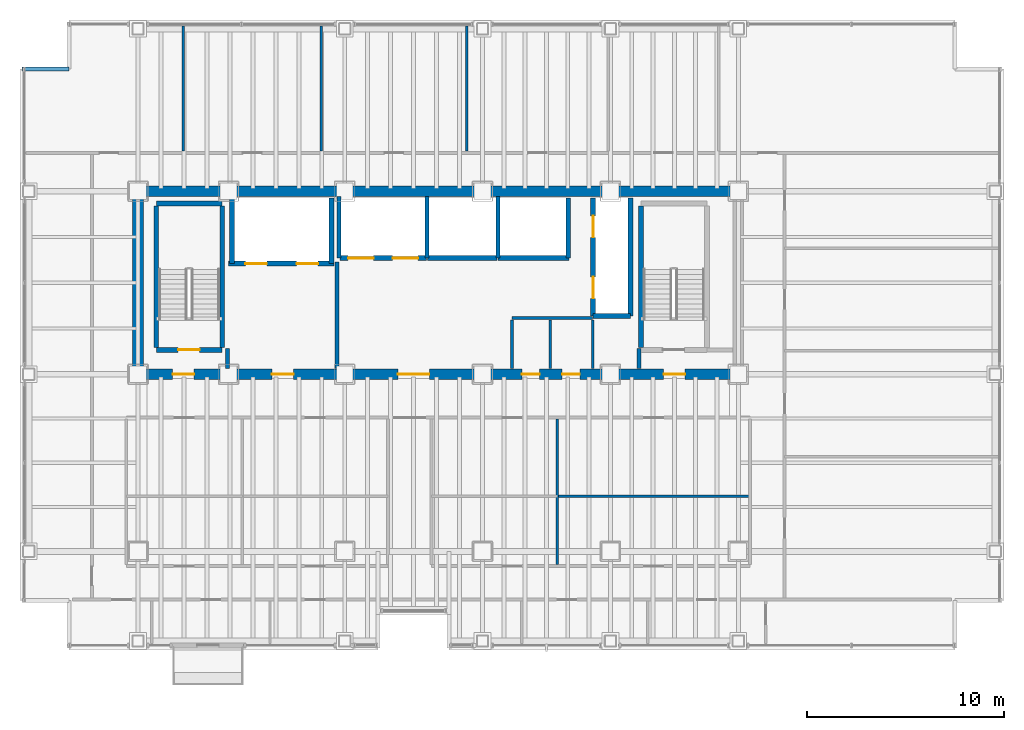
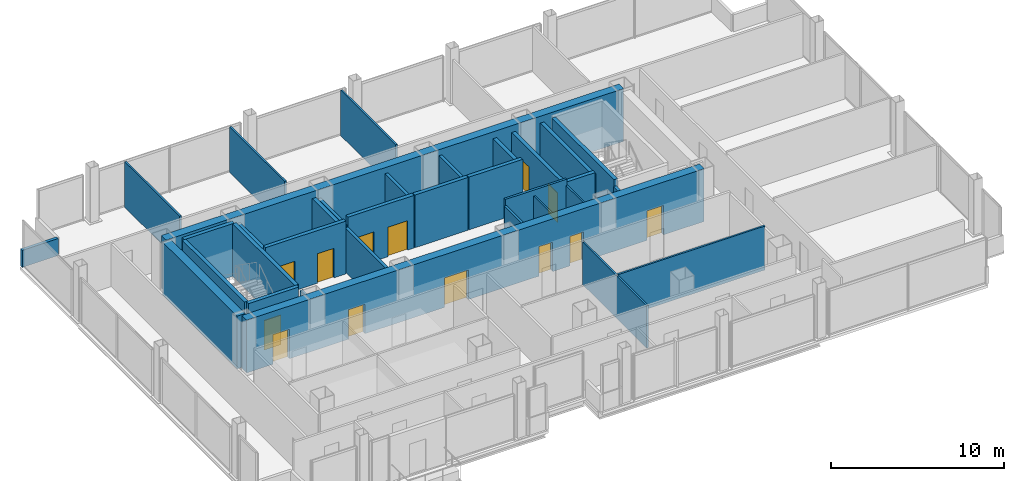
# One storey, part 18 of 20: 34 walls, 13 doors, 13 openings.
"""IFC4 building model written with IfcOpenShell, lengths in metres."""

from ifc_helpers import new_model, si_unit, direction, frame, frame_2d, origin, place, context, subcontext, project, spatial, rectangle, extrude, material, layer, layer_set, type_object, element, fill, save


model = new_model("IFC4")

# Units and contexts
model_context = context("Model", 3, precision=1e-05, world=origin(), true_north=direction((0.0, 1.0)))
body_context = subcontext(model_context, "Body", "Model", "MODEL_VIEW")
ifc_project = project(units=[si_unit("LENGTHUNIT", "METRE"), si_unit("AREAUNIT", "SQUARE_METRE"), si_unit("VOLUMEUNIT", "CUBIC_METRE"), si_unit("PLANEANGLEUNIT", "RADIAN"), si_unit("MASSUNIT", "GRAM", prefix="KILO")], contexts=[model_context])

# Site, building, storey
site_placement = place(None, origin())
site = spatial("IfcSite", under=ifc_project, at=site_placement, CompositionType="ELEMENT")
building_placement = place(site_placement, origin())
building = spatial("IfcBuilding", under=site, at=building_placement, Name="Noeulbin Bourse Tower", CompositionType="ELEMENT")
storey_placement = place(building_placement, frame((0.0, 0.0, 69.39990234375)))
storey = spatial("IfcBuildingStorey", under=building, at=storey_placement, Name="L17", CompositionType="ELEMENT", Elevation=69.39990234375)

# Wall, openings, doors
ifc_material_1 = material(Name="Concrete C60/75", Category="concrete")
ifc_layer_1 = layer(ifc_material_1, 0.550048828125)
ifc_layer_set_1 = layer_set([ifc_layer_1], Name="Concrete C60/75")
wall_type_1 = type_object("IfcWallType", Name="WAL-CORE-550", PredefinedType="SHEAR", material=ifc_layer_set_1)
wall_1_placement = place(storey_placement, frame((13.5, 29.0, 0.0), z_axis=(0.0, 0.0, 1.0), x_axis=(1.0, 0.0, 0.0)))
wall_1 = element("IfcWall", 1, at=wall_1_placement, inside=storey, type_object=wall_type_1, Name="Rear Core South Shear Wall L17", PredefinedType="SHEAR", context=body_context, shape_type="SweptSolid", body=[
    extrude(rectangle(XDim=30.5, YDim=0.550048828125, at=frame_2d((15.25, 0.0))), origin(), (0.0, 0.0, 1.0), 3.72021484375),
])
opening_1_placement = place(wall_1_placement, frame((1.75, 0.0, 0.0)))
opening_1 = element("IfcOpeningElement", 2, at=opening_1_placement, cuts=wall_1, Name="Opening FD-11", PredefinedType="OPENING", context=body_context, shape_type="SweptSolid", body=[
    extrude(rectangle(XDim=1.10009765625, YDim=2.080078125, at=frame_2d((0.550048828125, 1.0400390625))), frame((0.0, 0.284912109375, 0.0), z_axis=(0.0, -1.0, 0.0), x_axis=(1.0, 0.0, 0.0)), (0.0, 0.0, 1.0), 0.570068359375),
])
opening_2_placement = place(wall_1_placement, frame((26.699951171875, 0.0, 0.0)))
opening_2 = element("IfcOpeningElement", 3, at=opening_2_placement, cuts=wall_1, Name="Opening FD-11", PredefinedType="OPENING", context=body_context, shape_type="SweptSolid", body=[
    extrude(rectangle(XDim=1.10009765625, YDim=2.080078125, at=frame_2d((0.550048828125, 1.0400390625))), frame((0.0, 0.284912109375, 0.0), z_axis=(0.0, -1.0, 0.0), x_axis=(1.0, 0.0, 0.0)), (0.0, 0.0, 1.0), 0.570068359375),
])
opening_3_placement = place(wall_1_placement, frame((6.800048828125, 0.0, 0.0)))
opening_3 = element("IfcOpeningElement", 4, at=opening_3_placement, cuts=wall_1, Name="Opening FD-11", PredefinedType="OPENING", context=body_context, shape_type="SweptSolid", body=[
    extrude(rectangle(XDim=1.10009765625, YDim=2.080078125, at=frame_2d((0.550048828125, 1.0400390625))), frame((0.0, 0.284912109375, 0.0), z_axis=(0.0, -1.0, 0.0), x_axis=(1.0, 0.0, 0.0)), (0.0, 0.0, 1.0), 0.570068359375),
])
opening_4_placement = place(wall_1_placement, frame((13.199951171875, 0.0, 0.0)))
opening_4 = element("IfcOpeningElement", 5, at=opening_4_placement, cuts=wall_1, Name="Opening ID-16", PredefinedType="OPENING", context=body_context, shape_type="SweptSolid", body=[
    extrude(rectangle(XDim=1.60009765625, YDim=2.080078125, at=frame_2d((0.800048828125, 1.0400390625))), frame((0.0, 0.284912109375, 0.0), z_axis=(0.0, -1.0, 0.0), x_axis=(1.0, 0.0, 0.0)), (0.0, 0.0, 1.0), 0.570068359375),
])
opening_5_placement = place(wall_1_placement, frame((19.5, 0.0, 0.0)))
opening_5 = element("IfcOpeningElement", 6, at=opening_5_placement, cuts=wall_1, Name="Opening FD-09", PredefinedType="OPENING", context=body_context, shape_type="SweptSolid", body=[
    extrude(rectangle(XDim=0.89990234375, YDim=2.080078125, at=frame_2d((0.449951171875, 1.0400390625))), frame((0.0, 0.284912109375, 0.0), z_axis=(0.0, -1.0, 0.0), x_axis=(1.0, 0.0, 0.0)), (0.0, 0.0, 1.0), 0.570068359375),
])
opening_6_placement = place(wall_1_placement, frame((21.550048828125, 0.0, 0.0)))
opening_6 = element("IfcOpeningElement", 7, at=opening_6_placement, cuts=wall_1, Name="Opening FD-09", PredefinedType="OPENING", context=body_context, shape_type="SweptSolid", body=[
    extrude(rectangle(XDim=0.89990234375, YDim=2.080078125, at=frame_2d((0.449951171875, 1.0400390625))), frame((0.0, 0.284912109375, 0.0), z_axis=(0.0, -1.0, 0.0), x_axis=(1.0, 0.0, 0.0)), (0.0, 0.0, 1.0), 0.570068359375),
])
ifc_material_2 = material(Name="Acoustic Glazed Aluminium", Category="aluminium")
door_type_1 = type_object("IfcDoorType", Name="DR-DBL-1600", OperationType="DOUBLE_DOOR_SINGLE_SWING", PredefinedType="DOOR", material=ifc_material_2)
door_1_placement = place(opening_4_placement, origin())
door_1 = element("IfcDoor", 8, at=door_1_placement, inside=storey, type_object=door_type_1, Name="Passenger Lift Lobby Portal L17", OperationType="DOUBLE_DOOR_SINGLE_SWING", OverallHeight=2.080078125, OverallWidth=1.60009765625, PredefinedType="DOOR", context=body_context, shape_type="SweptSolid", body=[
    extrude(rectangle(XDim=1.60009765625, YDim=2.080078125, at=frame_2d((0.800048828125, 1.0400390625))), frame((0.0, 0.02490234375, 0.0), z_axis=(0.0, -1.0, 0.0), x_axis=(1.0, 0.0, 0.0)), (0.0, 0.0, 1.0), 0.050048828125),
])
fill(opening_4, door_1)
ifc_material_3 = material(Name="Fire-Rated Timber Core", Category="wood")
door_type_2 = type_object("IfcDoorType", Name="DR-FD30-900", OperationType="SINGLE_SWING_RIGHT", PredefinedType="DOOR", material=ifc_material_3)
door_2_placement = place(opening_5_placement, origin())
door_2 = element("IfcDoor", 9, at=door_2_placement, inside=storey, type_object=door_type_2, Name="Interior Door L17-05", OperationType="SINGLE_SWING_RIGHT", OverallHeight=2.080078125, OverallWidth=0.89990234375, PredefinedType="DOOR", context=body_context, shape_type="SweptSolid", body=[
    extrude(rectangle(XDim=0.89990234375, YDim=2.080078125, at=frame_2d((0.449951171875, 1.0400390625))), frame((0.0, 0.02490234375, 0.0), z_axis=(0.0, -1.0, 0.0), x_axis=(1.0, 0.0, 0.0)), (0.0, 0.0, 1.0), 0.050048828125),
])
fill(opening_5, door_2)
door_3_placement = place(opening_6_placement, origin())
door_3 = element("IfcDoor", 10, at=door_3_placement, inside=storey, type_object=door_type_2, Name="Interior Door L17-06", OperationType="SINGLE_SWING_LEFT", OverallHeight=2.080078125, OverallWidth=0.89990234375, PredefinedType="DOOR", context=body_context, shape_type="SweptSolid", body=[
    extrude(rectangle(XDim=0.89990234375, YDim=2.080078125, at=frame_2d((0.449951171875, 1.0400390625))), frame((0.0, 0.02490234375, 0.0), z_axis=(0.0, -1.0, 0.0), x_axis=(1.0, 0.0, 0.0)), (0.0, 0.0, 1.0), 0.050048828125),
])
fill(opening_6, door_3)
ifc_material_4 = material(Name="Fire-Rated Insulated Steel", Category="steel")
door_type_3 = type_object("IfcDoorType", Name="DR-FD60-1100", OperationType="SINGLE_SWING_LEFT", PredefinedType="DOOR", material=ifc_material_4)
door_4_placement = place(opening_1_placement, origin())
door_4 = element("IfcDoor", 11, at=door_4_placement, inside=storey, type_object=door_type_3, Name="West Stair Lobby Door L17", OperationType="SINGLE_SWING_RIGHT", OverallHeight=2.080078125, OverallWidth=1.10009765625, PredefinedType="DOOR", context=body_context, shape_type="SweptSolid", body=[
    extrude(rectangle(XDim=1.10009765625, YDim=2.080078125, at=frame_2d((0.550048828125, 1.0400390625))), frame((0.0, 0.02490234375, 0.0), z_axis=(0.0, -1.0, 0.0), x_axis=(1.0, 0.0, 0.0)), (0.0, 0.0, 1.0), 0.050048828125),
])
fill(opening_1, door_4)
door_5_placement = place(opening_2_placement, origin())
door_5 = element("IfcDoor", 12, at=door_5_placement, inside=storey, type_object=door_type_3, Name="East Stair Lobby Door L17", OperationType="SINGLE_SWING_LEFT", OverallHeight=2.080078125, OverallWidth=1.10009765625, PredefinedType="DOOR", context=body_context, shape_type="SweptSolid", body=[
    extrude(rectangle(XDim=1.10009765625, YDim=2.080078125, at=frame_2d((0.550048828125, 1.0400390625))), frame((0.0, 0.02490234375, 0.0), z_axis=(0.0, -1.0, 0.0), x_axis=(1.0, 0.0, 0.0)), (0.0, 0.0, 1.0), 0.050048828125),
])
fill(opening_2, door_5)
door_6_placement = place(opening_3_placement, origin())
door_6 = element("IfcDoor", 13, at=door_6_placement, inside=storey, type_object=door_type_3, Name="Firefighting Lobby Door L17", OperationType="SINGLE_SWING_RIGHT", OverallHeight=2.080078125, OverallWidth=1.10009765625, PredefinedType="DOOR", context=body_context, shape_type="SweptSolid", body=[
    extrude(rectangle(XDim=1.10009765625, YDim=2.080078125, at=frame_2d((0.550048828125, 1.0400390625))), frame((0.0, 0.02490234375, 0.0), z_axis=(0.0, -1.0, 0.0), x_axis=(1.0, 0.0, 0.0)), (0.0, 0.0, 1.0), 0.050048828125),
])
fill(opening_3, door_6)

# Walls
wall_2_placement = place(storey_placement, frame((13.5, 38.300048828125, 0.0), z_axis=(0.0, 0.0, 1.0), x_axis=(1.0, 0.0, 0.0)))
element("IfcWall", 14, at=wall_2_placement, inside=storey, type_object=wall_type_1, Name="Rear Core North Shear Wall L17", PredefinedType="SHEAR", context=body_context, shape_type="SweptSolid", body=[
    extrude(rectangle(XDim=30.5, YDim=0.550048828125, at=frame_2d((15.25, 0.0))), origin(), (0.0, 0.0, 1.0), 3.72021484375),
])
wall_3_placement = place(storey_placement, frame((13.5, 29.35009765625, 0.0), z_axis=(0.0, 0.0, 1.0), x_axis=(0.0, 1.0, 0.0)))
element("IfcWall", 15, at=wall_3_placement, inside=storey, type_object=wall_type_1, Name="Rear Core West Shear Wall L17", PredefinedType="SHEAR", context=body_context, shape_type="SweptSolid", body=[
    extrude(rectangle(XDim=8.599853515625, YDim=0.550048828125, at=frame_2d((4.2998046875, 0.0))), origin(), (0.0, 0.0, 1.0), 3.72021484375),
])
ifc_material_5 = material(Name="Concrete C40/50", Category="concrete")
ifc_layer_2 = layer(ifc_material_5, 0.199951171875)
ifc_layer_set_2 = layer_set([ifc_layer_2], Name="Concrete C40/50")
wall_type_2 = type_object("IfcWallType", Name="WAL-FIRE-200", PredefinedType="STANDARD", material=ifc_layer_set_2)
for number, where, z_axis, x_axis, name in (
    (16, (18.050048828125, 29.284912109375, 0.0), (0.0, 0.0, 1.0), (0.0, 1.0, 0.0), "Interior Partition Wall L17-15"),
    (17, (38.949951171875, 29.284912109375, 0.0), (0.0, 0.0, 1.0), (0.0, 1.0, 0.0), "Interior Partition Wall L17-16"),
):
    element("IfcWall", number, at=place(storey_placement, frame(where, z_axis=z_axis, x_axis=x_axis)), inside=storey, type_object=wall_type_2, Name=name, PredefinedType="STANDARD", context=body_context, shape_type="SweptSolid", body=[
        extrude(rectangle(XDim=1.01513671875, YDim=0.199951171875, at=frame_2d((0.507568359375, 0.0))), origin(), (0.0, 0.0, 1.0), 3.300048828125),
    ])
wall_4_placement = place(storey_placement, frame((23.60009765625, 29.284912109375, 0.0), z_axis=(0.0, 0.0, 1.0), x_axis=(0.0, 1.0, 0.0)))
element("IfcWall", 18, at=wall_4_placement, inside=storey, type_object=wall_type_2, Name="Interior Partition Wall L17-17", PredefinedType="STANDARD", context=body_context, shape_type="SweptSolid", body=[
    extrude(rectangle(XDim=5.4150390625, YDim=0.199951171875, at=frame_2d((2.70751953125, 0.0))), origin(), (0.0, 0.0, 1.0), 3.10009765625),
])
ifc_layer_3 = layer(ifc_material_5, 0.199951171875)
ifc_layer_set_3 = layer_set([ifc_layer_3], Name="Concrete C40/50")
wall_type_3 = type_object("IfcWallType", Name="WAL-PAR-200", PredefinedType="PARAPET", material=ifc_layer_set_3)
wall_5_placement = place(storey_placement, frame((7.60009765625, 44.5, 0.0), z_axis=(0.0, 0.0, 1.0), x_axis=(1.0, 0.0, 0.0)))
element("IfcWall", 19, at=wall_5_placement, inside=storey, type_object=wall_type_3, Name="Corner Notch Parapet L17-NW1", PredefinedType="PARAPET", context=body_context, shape_type="SweptSolid", body=[
    extrude(rectangle(XDim=2.39990234375, YDim=0.199951171875, at=frame_2d((1.199951171875, 0.0))), origin(), (0.0, 0.0, 1.0), 1.2001953125),
])
ifc_material_6 = material(Name="Steel Stud Gypsum Partition", Category="steel")
ifc_layer_4 = layer(ifc_material_6, 0.1201171875)
ifc_layer_set_4 = layer_set([ifc_layer_4], Name="Steel Stud Gypsum Partition")
wall_type_4 = type_object("IfcWallType", Name="WAL-PRT-120", PredefinedType="PARTITIONING", material=ifc_layer_set_4)
wall_6_placement = place(storey_placement, frame((34.800048828125, 22.800048828125, 0.0), z_axis=(0.0, 0.0, 1.0), x_axis=(1.0, 0.0, 0.0)))
element("IfcWall", 20, at=wall_6_placement, inside=storey, type_object=wall_type_4, Name="Interior Partition Wall L17-10", PredefinedType="PARTITIONING", context=body_context, shape_type="SweptSolid", body=[
    extrude(rectangle(XDim=9.800048828125, YDim=0.1201171875, at=frame_2d((4.89990234375, 0.0))), origin(), (0.0, 0.0, 1.0), 3.10009765625),
])
for number, where, z_axis, x_axis, name in (
    (21, (36.60009765625, 29.284912109375, 0.0), (0.0, 0.0, 1.0), (0.0, 1.0, 0.0), "Interior Partition Wall L17-19"),
    (22, (34.449951171875, 29.284912109375, 0.0), (0.0, 0.0, 1.0), (0.0, 1.0, 0.0), "Interior Partition Wall L17-20"),
):
    element("IfcWall", number, at=place(storey_placement, frame(where, z_axis=z_axis, x_axis=x_axis)), inside=storey, type_object=wall_type_4, Name=name, PredefinedType="PARTITIONING", context=body_context, shape_type="SweptSolid", body=[
        extrude(rectangle(XDim=2.47998046875, YDim=0.1201171875, at=frame_2d((1.239990234375, 0.0))), origin(), (0.0, 0.0, 1.0), 3.300048828125),
    ])
wall_7_placement = place(storey_placement, frame((34.800048828125, 19.3349609375, 0.0), z_axis=(0.0, 0.0, 1.0), x_axis=(0.0, 1.0, 0.0)))
element("IfcWall", 23, at=wall_7_placement, inside=storey, type_object=wall_type_4, Name="Interior Partition Wall L17-33", PredefinedType="PARTITIONING", context=body_context, shape_type="SweptSolid", body=[
    extrude(rectangle(XDim=7.380126953125, YDim=0.1201171875, at=frame_2d((3.68994140625, 0.0))), origin(), (0.0, 0.0, 1.0), 3.0),
])
for number, where, z_axis, x_axis, name in (
    (24, (15.800048828125, 40.3349609375, 0.0), (0.0, 0.0, 1.0), (0.0, 1.0, 0.0), "Interior Partition Wall L17-34"),
    (25, (22.800048828125, 40.3349609375, 0.0), (0.0, 0.0, 1.0), (0.0, 1.0, 0.0), "Interior Partition Wall L17-35"),
    (26, (30.199951171875, 40.3349609375, 0.0), (0.0, 0.0, 1.0), (0.0, 1.0, 0.0), "Interior Partition Wall L17-36"),
):
    element("IfcWall", number, at=place(storey_placement, frame(where, z_axis=z_axis, x_axis=x_axis)), inside=storey, type_object=wall_type_4, Name=name, PredefinedType="PARTITIONING", context=body_context, shape_type="SweptSolid", body=[
        extrude(rectangle(XDim=6.35498046875, YDim=0.1201171875, at=frame_2d((3.177490234375, 0.0))), origin(), (0.0, 0.0, 1.0), 3.212158203125),
    ])
ifc_material_7 = material(Name="Steel Stud Acoustic Gypsum Board", Category="steel")
ifc_layer_5 = layer(ifc_material_7, 0.14990234375)
ifc_layer_set_5 = layer_set([ifc_layer_5], Name="Steel Stud Acoustic Gypsum Board")
wall_type_5 = type_object("IfcWallType", Name="WAL-PRT-150", PredefinedType="PARTITIONING", material=ifc_layer_set_5)
wall_8_placement = place(storey_placement, frame((32.5, 31.85009765625, 0.0), z_axis=(0.0, 0.0, 1.0), x_axis=(1.0, 0.0, 0.0)))
element("IfcWall", 27, at=wall_8_placement, inside=storey, type_object=wall_type_5, Name="Interior Partition Wall L17-02", PredefinedType="PARTITIONING", context=body_context, shape_type="SweptSolid", body=[
    extrude(rectangle(XDim=4.10009765625, YDim=0.14990234375, at=frame_2d((2.050048828125, 0.0))), origin(), (0.0, 0.0, 1.0), 3.72021484375),
])
wall_9_placement = place(storey_placement, frame((32.5, 29.284912109375, 0.0), z_axis=(0.0, 0.0, 1.0), x_axis=(0.0, 1.0, 0.0)))
element("IfcWall", 28, at=wall_9_placement, inside=storey, type_object=wall_type_5, Name="Interior Partition Wall L17-18", PredefinedType="PARTITIONING", context=body_context, shape_type="SweptSolid", body=[
    extrude(rectangle(XDim=2.47998046875, YDim=0.14990234375, at=frame_2d((1.239990234375, 0.0))), origin(), (0.0, 0.0, 1.0), 3.300048828125),
])

# Wall, opening, door
ifc_layer_6 = layer(ifc_material_5, 0.25)
ifc_layer_set_6 = layer_set([ifc_layer_6], Name="Concrete C40/50")
wall_type_6 = type_object("IfcWallType", Name="WAL-SHFT-250", PredefinedType="STANDARD", material=ifc_layer_set_6)
wall_10_placement = place(storey_placement, frame((14.429931640625, 30.235107421875, 0.0), z_axis=(0.0, 0.0, 1.0), x_axis=(1.0, 0.0, 0.0)))
wall_10 = element("IfcWall", 29, at=wall_10_placement, inside=storey, type_object=wall_type_6, Name="Stair ST-1 South Shaft Wall L17", PredefinedType="STANDARD", context=body_context, shape_type="SweptSolid", body=[
    extrude(rectangle(XDim=3.340087890625, YDim=0.25, at=frame_2d((1.669921875, 0.0))), origin(), (0.0, 0.0, 1.0), 3.72021484375),
])
opening_7_placement = place(wall_10_placement, frame((1.10009765625, 0.0, 0.0)))
opening_7 = element("IfcOpeningElement", 30, at=opening_7_placement, cuts=wall_10, Name="Opening FD-11", PredefinedType="OPENING", context=body_context, shape_type="SweptSolid", body=[
    extrude(rectangle(XDim=1.10009765625, YDim=2.080078125, at=frame_2d((0.550048828125, 1.0400390625))), frame((0.0, 0.135009765625, 0.0), z_axis=(0.0, -1.0, 0.0), x_axis=(1.0, 0.0, 0.0)), (0.0, 0.0, 1.0), 0.27001953125),
])
door_7_placement = place(opening_7_placement, origin())
door_7 = element("IfcDoor", 31, at=door_7_placement, inside=storey, type_object=door_type_3, Name="Protected Stair Entry Door ST1-L17", OperationType="SINGLE_SWING_RIGHT", OverallHeight=2.080078125, OverallWidth=1.10009765625, PredefinedType="DOOR", context=body_context, shape_type="SweptSolid", body=[
    extrude(rectangle(XDim=1.10009765625, YDim=2.080078125, at=frame_2d((0.550048828125, 1.0400390625))), frame((0.0, 0.02490234375, 0.0), z_axis=(0.0, -1.0, 0.0), x_axis=(1.0, 0.0, 0.0)), (0.0, 0.0, 1.0), 0.050048828125),
])
fill(opening_7, door_7)

# Walls
wall_11_placement = place(storey_placement, frame((14.429931640625, 37.6689453125, 0.0), z_axis=(0.0, 0.0, 1.0), x_axis=(1.0, 0.0, 0.0)))
element("IfcWall", 32, at=wall_11_placement, inside=storey, type_object=wall_type_6, Name="Stair ST-1 North Shaft Wall L17", PredefinedType="STANDARD", context=body_context, shape_type="SweptSolid", body=[
    extrude(rectangle(XDim=3.340087890625, YDim=0.25, at=frame_2d((1.669921875, 0.0))), origin(), (0.0, 0.0, 1.0), 3.72021484375),
])
for number, where, z_axis, x_axis, name in (
    (33, (14.425048828125, 30.360107421875, 0.0), (0.0, 0.0, 1.0), (0.0, 1.0, 0.0), "Stair ST-1 West Shaft Wall L17"),
    (34, (17.77490234375, 30.360107421875, 0.0), (0.0, 0.0, 1.0), (0.0, 1.0, 0.0), "Stair ST-1 East Shaft Wall L17"),
    (35, (39.054931640625, 30.360107421875, 0.0), (0.0, 0.0, 1.0), (0.0, 1.0, 0.0), "Stair ST-2 West Shaft Wall L17"),
):
    element("IfcWall", number, at=place(storey_placement, frame(where, z_axis=z_axis, x_axis=x_axis)), inside=storey, type_object=wall_type_6, Name=name, PredefinedType="STANDARD", context=body_context, shape_type="SweptSolid", body=[
        extrude(rectangle(XDim=7.183837890625, YDim=0.25, at=frame_2d((3.591796875, 0.0))), origin(), (0.0, 0.0, 1.0), 3.72021484375),
    ])

# Wall, openings, doors
wall_12_placement = place(storey_placement, frame((18.10009765625, 34.6201171875, 0.0), z_axis=(0.0, 0.0, 1.0), x_axis=(1.0, 0.0, 0.0)))
wall_12 = element("IfcWall", 36, at=wall_12_placement, inside=storey, type_object=wall_type_6, Name="Firefighting Lift Shaft Front L17", PredefinedType="STANDARD", context=body_context, shape_type="SweptSolid", body=[
    extrude(rectangle(XDim=5.349853515625, YDim=0.25, at=frame_2d((2.6748046875, 0.0))), origin(), (0.0, 0.0, 1.0), 3.72021484375),
])
opening_8_placement = place(wall_12_placement, frame((0.85009765625, 0.0, 0.0)))
opening_8 = element("IfcOpeningElement", 37, at=opening_8_placement, cuts=wall_12, Name="Opening LD-11", PredefinedType="OPENING", context=body_context, shape_type="SweptSolid", body=[
    extrude(rectangle(XDim=1.10009765625, YDim=2.080078125, at=frame_2d((0.550048828125, 1.0400390625))), frame((0.0, 0.135009765625, 0.0), z_axis=(0.0, -1.0, 0.0), x_axis=(1.0, 0.0, 0.0)), (0.0, 0.0, 1.0), 0.27001953125),
])
opening_9_placement = place(wall_12_placement, frame((3.449951171875, 0.0, 0.0)))
opening_9 = element("IfcOpeningElement", 38, at=opening_9_placement, cuts=wall_12, Name="Opening LD-11", PredefinedType="OPENING", context=body_context, shape_type="SweptSolid", body=[
    extrude(rectangle(XDim=1.10009765625, YDim=2.080078125, at=frame_2d((0.550048828125, 1.0400390625))), frame((0.0, 0.135009765625, 0.0), z_axis=(0.0, -1.0, 0.0), x_axis=(1.0, 0.0, 0.0)), (0.0, 0.0, 1.0), 0.27001953125),
])
ifc_material_8 = material(Name="Brushed Stainless Steel 316", Category="steel")
door_type_4 = type_object("IfcDoorType", Name="DR-LIFT-1100", OperationType="SLIDING_TO_LEFT", PredefinedType="DOOR", material=ifc_material_8)
door_8_placement = place(opening_8_placement, origin())
door_8 = element("IfcDoor", 39, at=door_8_placement, inside=storey, type_object=door_type_4, Name="Lift Landing Door LD-FL-01-L17", OperationType="SLIDING_TO_LEFT", OverallHeight=2.080078125, OverallWidth=1.10009765625, PredefinedType="DOOR", context=body_context, shape_type="SweptSolid", body=[
    extrude(rectangle(XDim=1.10009765625, YDim=2.080078125, at=frame_2d((0.550048828125, 1.0400390625))), frame((0.0, 0.02490234375, 0.0), z_axis=(0.0, -1.0, 0.0), x_axis=(1.0, 0.0, 0.0)), (0.0, 0.0, 1.0), 0.050048828125),
])
fill(opening_8, door_8)
door_9_placement = place(opening_9_placement, origin())
door_9 = element("IfcDoor", 40, at=door_9_placement, inside=storey, type_object=door_type_4, Name="Lift Landing Door LD-FL-02-L17", OperationType="SLIDING_TO_LEFT", OverallHeight=2.080078125, OverallWidth=1.10009765625, PredefinedType="DOOR", context=body_context, shape_type="SweptSolid", body=[
    extrude(rectangle(XDim=1.10009765625, YDim=2.080078125, at=frame_2d((0.550048828125, 1.0400390625))), frame((0.0, 0.02490234375, 0.0), z_axis=(0.0, -1.0, 0.0), x_axis=(1.0, 0.0, 0.0)), (0.0, 0.0, 1.0), 0.050048828125),
])
fill(opening_9, door_9)

wall_13_placement = place(storey_placement, frame((36.6201171875, 31.949951171875, 0.0), z_axis=(0.0, 0.0, 1.0), x_axis=(0.0, 1.0, 0.0)))
wall_13 = element("IfcWall", 41, at=wall_13_placement, inside=storey, type_object=wall_type_6, Name="Service Lift Shaft Wall L17", PredefinedType="STANDARD", context=body_context, shape_type="SweptSolid", body=[
    extrude(rectangle(XDim=6.0, YDim=0.25, at=frame_2d((3.0, 0.0))), origin(), (0.0, 0.0, 1.0), 3.300048828125),
])
opening_10_placement = place(wall_13_placement, frame((0.89990234375, 0.0, 0.0)))
opening_10 = element("IfcOpeningElement", 42, at=opening_10_placement, cuts=wall_13, Name="Opening LD-11", PredefinedType="OPENING", context=body_context, shape_type="SweptSolid", body=[
    extrude(rectangle(XDim=1.10009765625, YDim=2.080078125, at=frame_2d((0.550048828125, 1.0400390625))), frame((0.0, 0.135009765625, 0.0), z_axis=(0.0, -1.0, 0.0), x_axis=(1.0, 0.0, 0.0)), (0.0, 0.0, 1.0), 0.27001953125),
])
opening_11_placement = place(wall_13_placement, frame((4.0, 0.0, 0.0)))
opening_11 = element("IfcOpeningElement", 43, at=opening_11_placement, cuts=wall_13, Name="Opening LD-11", PredefinedType="OPENING", context=body_context, shape_type="SweptSolid", body=[
    extrude(rectangle(XDim=1.10009765625, YDim=2.080078125, at=frame_2d((0.550048828125, 1.0400390625))), frame((0.0, 0.135009765625, 0.0), z_axis=(0.0, -1.0, 0.0), x_axis=(1.0, 0.0, 0.0)), (0.0, 0.0, 1.0), 0.27001953125),
])
door_10_placement = place(opening_10_placement, origin())
door_10 = element("IfcDoor", 44, at=door_10_placement, inside=storey, type_object=door_type_4, Name="Lift Landing Door LD-EL-01-L17", OperationType="SLIDING_TO_LEFT", OverallHeight=2.080078125, OverallWidth=1.10009765625, PredefinedType="DOOR", context=body_context, shape_type="SweptSolid", body=[
    extrude(rectangle(XDim=1.10009765625, YDim=2.080078125, at=frame_2d((0.550048828125, 1.0400390625))), frame((0.0, 0.02490234375, 0.0), z_axis=(0.0, -1.0, 0.0), x_axis=(1.0, 0.0, 0.0)), (0.0, 0.0, 1.0), 0.050048828125),
])
fill(opening_10, door_10)
door_11_placement = place(opening_11_placement, origin())
door_11 = element("IfcDoor", 45, at=door_11_placement, inside=storey, type_object=door_type_4, Name="Lift Landing Door LD-SV-01-L17", OperationType="SLIDING_TO_LEFT", OverallHeight=2.080078125, OverallWidth=1.10009765625, PredefinedType="DOOR", context=body_context, shape_type="SweptSolid", body=[
    extrude(rectangle(XDim=1.10009765625, YDim=2.080078125, at=frame_2d((0.550048828125, 1.0400390625))), frame((0.0, 0.02490234375, 0.0), z_axis=(0.0, -1.0, 0.0), x_axis=(1.0, 0.0, 0.0)), (0.0, 0.0, 1.0), 0.050048828125),
])
fill(opening_11, door_11)

# Walls
wall_14_placement = place(storey_placement, frame((38.52001953125, 31.949951171875, 0.0), z_axis=(0.0, 0.0, 1.0), x_axis=(0.0, 1.0, 0.0)))
element("IfcWall", 46, at=wall_14_placement, inside=storey, type_object=wall_type_6, Name="Service Lift East Shaft Wall L17", PredefinedType="STANDARD", context=body_context, shape_type="SweptSolid", body=[
    extrude(rectangle(XDim=6.0, YDim=0.25, at=frame_2d((3.0, 0.0))), origin(), (0.0, 0.0, 1.0), 3.300048828125),
])
wall_15_placement = place(storey_placement, frame((36.6201171875, 31.949951171875, 0.0), z_axis=(0.0, 0.0, 1.0), x_axis=(1.0, 0.0, 0.0)))
element("IfcWall", 47, at=wall_15_placement, inside=storey, type_object=wall_type_6, Name="Service Lift South Shaft Wall L17", PredefinedType="STANDARD", context=body_context, shape_type="SweptSolid", body=[
    extrude(rectangle(XDim=1.89990234375, YDim=0.25, at=frame_2d((0.949951171875, 0.0))), origin(), (0.0, 0.0, 1.0), 3.47998046875),
])
for number, where, z_axis, x_axis, name in (
    (48, (18.280029296875, 34.6201171875, 0.0), (0.0, 0.0, 1.0), (0.0, 1.0, 0.0), "Firefighting Lift West Shaft Wall L17"),
    (49, (23.320068359375, 34.6201171875, 0.0), (0.0, 0.0, 1.0), (0.0, 1.0, 0.0), "Firefighting Lift East Shaft Wall L17"),
):
    element("IfcWall", number, at=place(storey_placement, frame(where, z_axis=z_axis, x_axis=x_axis)), inside=storey, type_object=wall_type_6, Name=name, PredefinedType="STANDARD", context=body_context, shape_type="SweptSolid", body=[
        extrude(rectangle(XDim=3.329833984375, YDim=0.25, at=frame_2d((1.6650390625, 0.0))), origin(), (0.0, 0.0, 1.0), 3.300048828125),
    ])
wall_16_placement = place(storey_placement, frame((35.360107421875, 34.89990234375, 0.0), z_axis=(0.0, 0.0, 1.0), x_axis=(0.0, 1.0, 0.0)))
element("IfcWall", 50, at=wall_16_placement, inside=storey, type_object=wall_type_6, Name="High-Rise Lift East Shaft Wall L17", PredefinedType="STANDARD", context=body_context, shape_type="SweptSolid", body=[
    extrude(rectangle(XDim=3.050048828125, YDim=0.25, at=frame_2d((1.52490234375, 0.0))), origin(), (0.0, 0.0, 1.0), 3.300048828125),
])

# Wall, openings, doors
wall_17_placement = place(storey_placement, frame((23.75, 34.89990234375, 0.0), z_axis=(0.0, 0.0, 1.0), x_axis=(1.0, 0.0, 0.0)))
wall_17 = element("IfcWall", 51, at=wall_17_placement, inside=storey, type_object=wall_type_6, Name="Low-Rise Lift Bank Front L17", PredefinedType="STANDARD", context=body_context, shape_type="SweptSolid", body=[
    extrude(rectangle(XDim=4.39990234375, YDim=0.25, at=frame_2d((2.199951171875, 0.0))), origin(), (0.0, 0.0, 1.0), 3.72021484375),
])
opening_12_placement = place(wall_17_placement, frame((0.419921875, 0.0, 0.0)))
opening_12 = element("IfcOpeningElement", 52, at=opening_12_placement, cuts=wall_17, Name="Opening LD-13", PredefinedType="OPENING", context=body_context, shape_type="SweptSolid", body=[
    extrude(rectangle(XDim=1.300048828125, YDim=2.080078125, at=frame_2d((0.64990234375, 1.0400390625))), frame((0.0, 0.135009765625, 0.0), z_axis=(0.0, -1.0, 0.0), x_axis=(1.0, 0.0, 0.0)), (0.0, 0.0, 1.0), 0.27001953125),
])
opening_13_placement = place(wall_17_placement, frame((2.679931640625, 0.0, 0.0)))
opening_13 = element("IfcOpeningElement", 53, at=opening_13_placement, cuts=wall_17, Name="Opening LD-13", PredefinedType="OPENING", context=body_context, shape_type="SweptSolid", body=[
    extrude(rectangle(XDim=1.300048828125, YDim=2.080078125, at=frame_2d((0.64990234375, 1.0400390625))), frame((0.0, 0.135009765625, 0.0), z_axis=(0.0, -1.0, 0.0), x_axis=(1.0, 0.0, 0.0)), (0.0, 0.0, 1.0), 0.27001953125),
])
door_type_5 = type_object("IfcDoorType", Name="DR-LIFT-1300", OperationType="DOUBLE_DOOR_SLIDING", PredefinedType="DOOR", material=ifc_material_8)
door_12_placement = place(opening_12_placement, origin())
door_12 = element("IfcDoor", 54, at=door_12_placement, inside=storey, type_object=door_type_5, Name="Lift Landing Door LD-PL-L1-L17", OperationType="DOUBLE_DOOR_SLIDING", OverallHeight=2.080078125, OverallWidth=1.300048828125, PredefinedType="DOOR", context=body_context, shape_type="SweptSolid", body=[
    extrude(rectangle(XDim=1.300048828125, YDim=2.080078125, at=frame_2d((0.64990234375, 1.0400390625))), frame((0.0, 0.02490234375, 0.0), z_axis=(0.0, -1.0, 0.0), x_axis=(1.0, 0.0, 0.0)), (0.0, 0.0, 1.0), 0.050048828125),
])
fill(opening_12, door_12)
door_13_placement = place(opening_13_placement, origin())
door_13 = element("IfcDoor", 55, at=door_13_placement, inside=storey, type_object=door_type_5, Name="Lift Landing Door LD-PL-L2-L17", OperationType="DOUBLE_DOOR_SLIDING", OverallHeight=2.080078125, OverallWidth=1.300048828125, PredefinedType="DOOR", context=body_context, shape_type="SweptSolid", body=[
    extrude(rectangle(XDim=1.300048828125, YDim=2.080078125, at=frame_2d((0.64990234375, 1.0400390625))), frame((0.0, 0.02490234375, 0.0), z_axis=(0.0, -1.0, 0.0), x_axis=(1.0, 0.0, 0.0)), (0.0, 0.0, 1.0), 0.050048828125),
])
fill(opening_13, door_13)

# Walls
wall_18_placement = place(storey_placement, frame((28.199951171875, 34.89990234375, 0.0), z_axis=(0.0, 0.0, 1.0), x_axis=(1.0, 0.0, 0.0)))
element("IfcWall", 56, at=wall_18_placement, inside=storey, type_object=wall_type_6, Name="Mid-Rise Lift Bank Front L17", PredefinedType="STANDARD", context=body_context, shape_type="SweptSolid", body=[
    extrude(rectangle(XDim=3.550048828125, YDim=0.25, at=frame_2d((1.77490234375, 0.0))), origin(), (0.0, 0.0, 1.0), 3.72021484375),
])
wall_19_placement = place(storey_placement, frame((31.800048828125, 34.89990234375, 0.0), z_axis=(0.0, 0.0, 1.0), x_axis=(1.0, 0.0, 0.0)))
element("IfcWall", 57, at=wall_19_placement, inside=storey, type_object=wall_type_6, Name="High-Rise Lift Bank Front L17", PredefinedType="STANDARD", context=body_context, shape_type="SweptSolid", body=[
    extrude(rectangle(XDim=3.599853515625, YDim=0.25, at=frame_2d((1.7998046875, 0.0))), origin(), (0.0, 0.0, 1.0), 3.72021484375),
])
wall_20_placement = place(storey_placement, frame((23.719970703125, 34.89990234375, 0.0), z_axis=(0.0, 0.0, 1.0), x_axis=(0.0, 1.0, 0.0)))
element("IfcWall", 58, at=wall_20_placement, inside=storey, type_object=wall_type_6, Name="Hoistway Side Shaft Wall L17-PLLW", PredefinedType="STANDARD", context=body_context, shape_type="SweptSolid", body=[
    extrude(rectangle(XDim=3.1201171875, YDim=0.199951171875, at=frame_2d((1.56005859375, 0.0))), origin(), (0.0, 0.0, 1.0), 3.10009765625),
])
for number, where, z_axis, x_axis, name in (
    (59, (28.179931640625, 34.89990234375, 0.0), (0.0, 0.0, 1.0), (0.0, 1.0, 0.0), "Hoistway Side Shaft Wall L17-PLMW"),
    (60, (31.780029296875, 34.89990234375, 0.0), (0.0, 0.0, 1.0), (0.0, 1.0, 0.0), "Hoistway Side Shaft Wall L17-PLHW"),
):
    element("IfcWall", number, at=place(storey_placement, frame(where, z_axis=z_axis, x_axis=x_axis)), inside=storey, type_object=wall_type_6, Name=name, PredefinedType="STANDARD", context=body_context, shape_type="SweptSolid", body=[
        extrude(rectangle(XDim=3.1201171875, YDim=0.199951171875, at=frame_2d((1.56005859375, 0.0))), origin(), (0.0, 0.0, 1.0), 3.300048828125),
    ])

save(model, "model.ifc")
